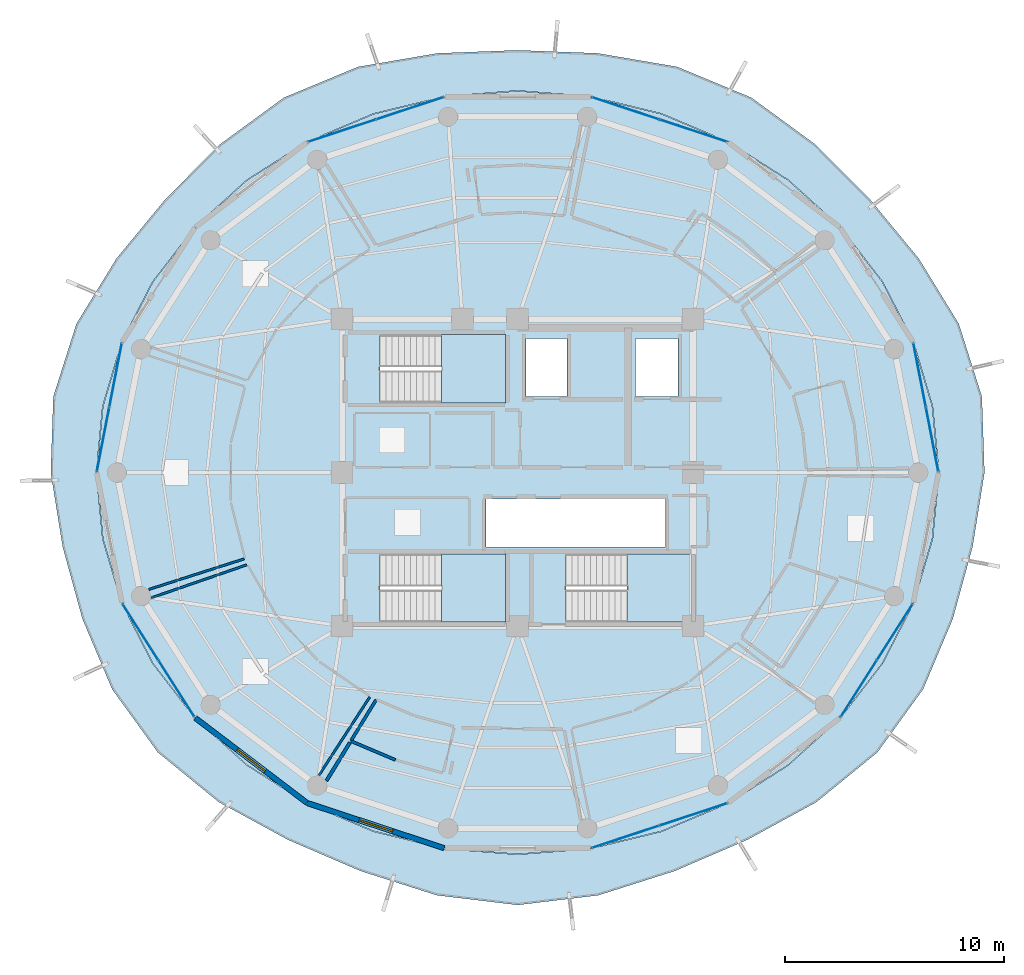
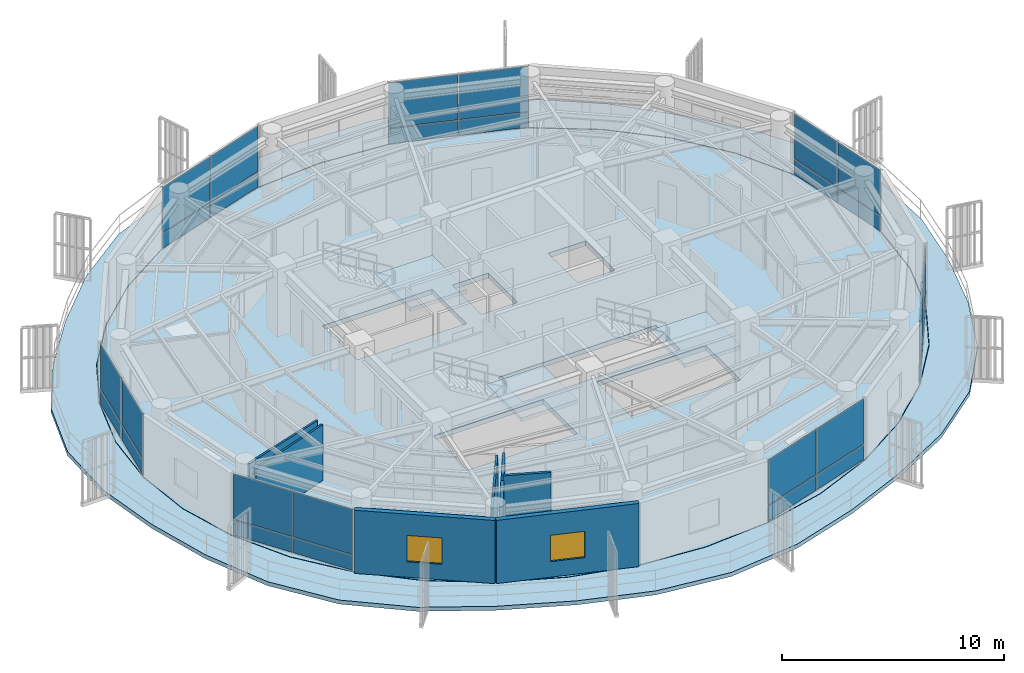
# One storey, part 15 of 23: 28 plates, 8 walls, 5 slabs, 2 windows, 2 openings, 10 elements without a shape of their own.
"""IFC4 building model written with IfcOpenShell, lengths in metres."""

from ifc_helpers import new_model, si_unit, direction, frame, frame_2d, origin, origin_2d, place, context, subcontext, project, spatial, polyline, rectangle, outline, extrude, source, transform, mapped, material, layer, layer_set, type_object, element, fill, aggregate, save


model = new_model("IFC4")

# Units and contexts
model_context = context("Model", 3, precision=1e-05, world=origin(), true_north=direction((0.0, 1.0)))
body_context = subcontext(model_context, "Body", "Model", "MODEL_VIEW")
ifc_project = project(units=[si_unit("LENGTHUNIT", "METRE"), si_unit("AREAUNIT", "SQUARE_METRE"), si_unit("VOLUMEUNIT", "CUBIC_METRE"), si_unit("PLANEANGLEUNIT", "RADIAN"), si_unit("MASSUNIT", "GRAM", prefix="KILO")], contexts=[model_context])

# Site, building, storey
site_placement = place(None, origin())
site = spatial("IfcSite", under=ifc_project, at=site_placement, CompositionType="ELEMENT")
building_placement = place(site_placement, origin())
building = spatial("IfcBuilding", under=site, at=building_placement, Name="Kelanora Arch Commons", CompositionType="ELEMENT")
storey_placement = place(building_placement, frame((0.0, 0.0, 252.449951171875)))
storey = spatial("IfcBuildingStorey", under=building, at=storey_placement, Name="L64", CompositionType="ELEMENT", Elevation=252.449951171875)

# Stair, slab
ifc_material_1 = material(Name="Concrete C40/50", Category="concrete")
stair_type = type_object("IfcStairType", Name="STR-DL-375", PredefinedType="HALF_TURN_STAIR", material=ifc_material_1)
stair_1_placement = place(storey_placement, origin())
stair_1 = element("IfcStair", 1, at=stair_1_placement, inside=storey, type_object=stair_type, Name="L64 ST-T1", PredefinedType="HALF_TURN_STAIR")
ifc_layer_1 = layer(ifc_material_1, 0.199951171875)
ifc_layer_set_1 = layer_set([ifc_layer_1], Name="Concrete C40/50")
slab_type_1 = type_object("IfcSlabType", Name="SLB-STAIR-LND", PredefinedType="LANDING", material=ifc_layer_set_1)
slab_1_placement = place(storey_placement, frame((0.0, 0.0, 1.675048828125)))
slab_1 = element("IfcSlab", 2, at=slab_1_placement, type_object=slab_type_1, Name="ST-T1 landing 1", PredefinedType="LANDING", context=body_context, shape_type="SweptSolid", body=[
    extrude(outline(polyline([(70.52001953125, 61.179931640625), (73.43994140625, 61.179931640625), (73.43994140625, 64.2900390625), (70.52001953125, 64.2900390625), (70.52001953125, 61.179931640625)])), origin(), (0.0, 0.0, 1.0), 0.199951171875),
])
aggregate(stair_1, [slab_1])

stair_2_placement = place(storey_placement, origin())
stair_2 = element("IfcStair", 3, at=stair_2_placement, inside=storey, type_object=stair_type, Name="L64 ST-T2", PredefinedType="HALF_TURN_STAIR")
slab_2_placement = place(storey_placement, frame((0.0, 0.0, 1.675048828125)))
slab_2 = element("IfcSlab", 4, at=slab_2_placement, type_object=slab_type_1, Name="ST-T2 landing 1", PredefinedType="LANDING", context=body_context, shape_type="SweptSolid", body=[
    extrude(outline(polyline([(79.0, 51.179931640625), (81.919921875, 51.179931640625), (81.919921875, 54.2900390625), (79.0, 54.2900390625), (79.0, 51.179931640625)])), origin(), (0.0, 0.0, 1.0), 0.199951171875),
])
aggregate(stair_2, [slab_2])

stair_3_placement = place(storey_placement, origin())
stair_3 = element("IfcStair", 5, at=stair_3_placement, inside=storey, type_object=stair_type, Name="L64 ST-T3", PredefinedType="HALF_TURN_STAIR")
slab_3_placement = place(storey_placement, frame((0.0, 0.0, 1.675048828125)))
slab_3 = element("IfcSlab", 6, at=slab_3_placement, type_object=slab_type_1, Name="ST-T3 landing 1", PredefinedType="LANDING", context=body_context, shape_type="SweptSolid", body=[
    extrude(outline(polyline([(70.52001953125, 51.179931640625), (73.43994140625, 51.179931640625), (73.43994140625, 54.2900390625), (70.52001953125, 54.2900390625), (70.52001953125, 51.179931640625)])), origin(), (0.0, 0.0, 1.0), 0.199951171875),
])
aggregate(stair_3, [slab_3])

# Slabs
ifc_layer_2 = layer(ifc_material_1, 0.260009765625)
ifc_layer_set_2 = layer_set([ifc_layer_2], Name="Concrete C40/50")
slab_type_2 = type_object("IfcSlabType", Name="SLB-TWR-TYP", PredefinedType="FLOOR", material=ifc_layer_set_2)
slab_4_placement = place(storey_placement, frame((0.0, 0.0, -0.260009765625)))
element("IfcSlab", 7, at=slab_4_placement, inside=storey, type_object=slab_type_2, Name="Tower Floor Slab L64", PredefinedType="FLOOR", context=body_context, shape_type="SweptSolid", body=[
    extrude(outline(polyline([(93.199951171875, 58.0), (92.908203125, 61.021484375), (92.0419921875, 63.951171875), (90.627685546875, 66.699951171875), (88.7080078125, 69.1845703125), (86.341552734375, 71.3291015625), (83.60009765625, 73.06884765625), (80.56689453125, 74.3505859375), (77.333984375, 75.1357421875), (74.0, 75.39990234375), (70.666015625, 75.1357421875), (67.43310546875, 74.3505859375), (64.39990234375, 73.06884765625), (61.658447265625, 71.3291015625), (59.2919921875, 69.1845703125), (57.372314453125, 66.699951171875), (55.9580078125, 63.951171875), (55.091796875, 61.021484375), (54.800048828125, 58.0), (55.091796875, 54.978515625), (55.9580078125, 52.048828125), (57.372314453125, 49.300048828125), (59.2919921875, 46.8154296875), (61.658447265625, 44.6708984375), (64.39990234375, 42.93115234375), (67.43310546875, 41.6494140625), (70.666015625, 40.8642578125), (74.0, 40.60009765625), (77.333984375, 40.8642578125), (80.56689453125, 41.6494140625), (83.60009765625, 42.93115234375), (86.341552734375, 44.6708984375), (88.7080078125, 46.8154296875), (90.627685546875, 49.300048828125), (92.0419921875, 52.048828125), (92.908203125, 54.978515625), (93.199951171875, 58.0)]), holes=[polyline([(73.431884765625, 51.18798828125), (67.72802734375, 51.18798828125), (67.72802734375, 54.281982421875), (73.431884765625, 54.281982421875), (73.431884765625, 51.18798828125)]), polyline([(76.2080078125, 51.18798828125), (76.2080078125, 54.281982421875), (81.912109375, 54.281982421875), (81.912109375, 51.18798828125), (76.2080078125, 51.18798828125)]), polyline([(72.550048828125, 54.60009765625), (72.550048828125, 56.800048828125), (80.75, 56.800048828125), (80.75, 54.60009765625), (72.550048828125, 54.60009765625)]), polyline([(73.431884765625, 61.18798828125), (67.72802734375, 61.18798828125), (67.72802734375, 64.281982421875), (73.431884765625, 64.281982421875), (73.431884765625, 61.18798828125)]), polyline([(74.3798828125, 61.47998046875), (74.3798828125, 64.1201171875), (76.260009765625, 64.1201171875), (76.260009765625, 61.47998046875), (74.3798828125, 61.47998046875)]), polyline([(79.3798828125, 61.47998046875), (79.3798828125, 64.1201171875), (81.320068359375, 64.1201171875), (81.320068359375, 61.47998046875), (79.3798828125, 61.47998046875)])]), origin(), (0.0, 0.0, 1.0), 0.260009765625),
])
ifc_layer_3 = layer(ifc_material_1, 0.219970703125)
ifc_layer_set_3 = layer_set([ifc_layer_3], Name="Concrete C40/50")
slab_type_3 = type_object("IfcSlabType", Name="SLB-WAVE-BAL", PredefinedType="FLOOR", material=ifc_layer_set_3)
slab_5_placement = place(storey_placement, frame((0.0, 0.0, -0.219970703125)))
element("IfcSlab", 8, at=slab_5_placement, inside=storey, type_object=slab_type_3, Name="Sinusoidal Wave Balcony Slab L64", PredefinedType="FLOOR", context=body_context, shape_type="SweptSolid", body=[
    extrude(outline(polyline([(95.291748046875, 58.0), (95.173583984375, 61.462158203125), (94.120361328125, 64.785888671875), (92.294921875, 67.76220703125), (90.07666015625, 70.45166015625), (87.58349609375, 72.96240234375), (84.662109375, 75.0986328125), (81.277099609375, 76.50439453125), (77.651611328125, 77.123291015625), (74.0, 77.26171875), (70.348388671875, 77.123291015625), (66.722900390625, 76.50439453125), (63.337890625, 75.0986328125), (60.41650390625, 72.96240234375), (57.92333984375, 70.45166015625), (55.705078125, 67.76220703125), (53.879638671875, 64.785888671875), (52.826416015625, 61.462158203125), (52.708251953125, 58.0), (53.250732421875, 54.620361328125), (54.154052734375, 51.324462890625), (55.51123046875, 48.114501953125), (57.5908203125, 45.240478515625), (60.3681640625, 42.97412109375), (63.522705078125, 41.25439453125), (66.833251953125, 39.830322265625), (70.323486328125, 38.72119140625), (74.0, 38.2783203125), (77.676513671875, 38.72119140625), (81.166748046875, 39.830322265625), (84.477294921875, 41.25439453125), (87.6318359375, 42.97412109375), (90.4091796875, 45.240478515625), (92.48876953125, 48.114501953125), (93.845947265625, 51.324462890625), (94.749267578125, 54.620361328125), (95.291748046875, 58.0)]), holes=[polyline([(92.927978515625, 54.97509765625), (92.060791015625, 52.0419921875), (90.64501953125, 49.2900390625), (88.723388671875, 46.802490234375), (86.3544921875, 44.655517578125), (83.610107421875, 42.913818359375), (80.573486328125, 41.630615234375), (77.33740234375, 40.844482421875), (74.0, 40.580078125), (70.66259765625, 40.844482421875), (67.426513671875, 41.630615234375), (64.389892578125, 42.913818359375), (61.6455078125, 44.655517578125), (59.276611328125, 46.802490234375), (57.35498046875, 49.2900390625), (55.939208984375, 52.0419921875), (55.072021484375, 54.97509765625), (54.780029296875, 58.0), (55.072021484375, 61.02490234375), (55.939208984375, 63.9580078125), (57.35498046875, 66.7099609375), (59.276611328125, 69.197509765625), (61.6455078125, 71.344482421875), (64.389892578125, 73.086181640625), (67.426513671875, 74.369384765625), (70.66259765625, 75.155517578125), (74.0, 75.419921875), (77.33740234375, 75.155517578125), (80.573486328125, 74.369384765625), (83.610107421875, 73.086181640625), (86.3544921875, 71.344482421875), (88.723388671875, 69.197509765625), (90.64501953125, 66.7099609375), (92.060791015625, 63.9580078125), (92.927978515625, 61.02490234375), (93.219970703125, 58.0), (92.927978515625, 54.97509765625)])]), origin(), (0.0, 0.0, 1.0), 0.219970703125),
])

# Curtain wall, plates
ifc_material_2 = material(Name="Terracotta ceramic-fritted low-E glass and aluminium", Category="masonry")
ifc_layer_4 = layer(ifc_material_2, 0.18994140625)
ifc_layer_set_4 = layer_set([ifc_layer_4], Name="Terracotta ceramic-fritted low-E glass and aluminium")
curtain_wall_type = type_object("IfcCurtainWallType", Name="CW-SYS-03", PredefinedType="NOTDEFINED", material=ifc_layer_set_4)
curtain_wall_1_placement = place(storey_placement, origin())
curtain_wall_1 = element("IfcCurtainWall", 9, at=curtain_wall_1_placement, inside=storey, type_object=curtain_wall_type, Name="Unitised Curtain Wall L64-B00", PredefinedType="NOTDEFINED")
ifc_material_3 = material(Name="Terracotta ceramic-fritted double glazing", Category="masonry")
ifc_layer_5 = layer(ifc_material_3, 0.028076171875)
ifc_layer_set_5 = layer_set([ifc_layer_5], Name="Terracotta ceramic-fritted double glazing")
plate_type = type_object("IfcPlateType", Name="CWP-FRIT", PredefinedType="CURTAIN_PANEL", material=ifc_layer_set_5)
shared_shape_1 = source(origin(), body_context, "Body", "SweptSolid", [
    extrude(rectangle(XDim=2.926513671875, YDim=0.028076171875, at=origin_2d()), origin(), (0.0, 0.0, 1.0), 0.81005859375),
])
plate_1_placement = place(storey_placement, frame((92.90625, 59.509765625, 0.06005859375), z_axis=(0.0, 0.0, 1.0), x_axis=(-0.190971701941, 0.981595542501, 0.0)))
plate_1 = element("IfcPlate", 10, at=plate_1_placement, type_object=plate_type, Name="CW-03 panel 1.1", PredefinedType="CURTAIN_PANEL", context=body_context, shape_type="MappedRepresentation", body=[
    mapped(shared_shape_1, transform((0.0, 0.0, 0.0), scale=1.0)),
])
plate_2_placement = place(storey_placement, frame((92.3359375, 62.44140625, 0.06005859375), z_axis=(0.0, 0.0, 1.0), x_axis=(-0.190971701941, 0.981595542501, 0.0)))
plate_2 = element("IfcPlate", 11, at=plate_2_placement, type_object=plate_type, Name="CW-03 panel 2.1", PredefinedType="CURTAIN_PANEL", context=body_context, shape_type="MappedRepresentation", body=[
    mapped(shared_shape_1, transform((0.0, 0.0, 0.0), scale=1.0)),
])

curtain_wall_2_placement = place(storey_placement, origin())
curtain_wall_2 = element("IfcCurtainWall", 12, at=curtain_wall_2_placement, inside=storey, type_object=curtain_wall_type, Name="Unitised Curtain Wall L64-B08", PredefinedType="NOTDEFINED")
plate_3_placement = place(storey_placement, frame((55.6640625, 62.44140625, 0.06005859375), z_axis=(0.0, 0.0, 1.0), x_axis=(-0.190971701941, -0.981595542501, 0.0)))
plate_3 = element("IfcPlate", 13, at=plate_3_placement, type_object=plate_type, Name="CW-03 panel 1.1", PredefinedType="CURTAIN_PANEL", context=body_context, shape_type="MappedRepresentation", body=[
    mapped(shared_shape_1, transform((0.0, 0.0, 0.0), scale=1.0)),
])
plate_4_placement = place(storey_placement, frame((55.09375, 59.509765625, 0.06005859375), z_axis=(0.0, 0.0, 1.0), x_axis=(-0.190971701941, -0.981595542501, 0.0)))
plate_4 = element("IfcPlate", 14, at=plate_4_placement, type_object=plate_type, Name="CW-03 panel 2.1", PredefinedType="CURTAIN_PANEL", context=body_context, shape_type="MappedRepresentation", body=[
    mapped(shared_shape_1, transform((0.0, 0.0, 0.0), scale=1.0)),
])

# Plate
shared_shape_2 = source(origin(), body_context, "Body", "SweptSolid", [
    extrude(rectangle(XDim=2.926513671875, YDim=0.028076171875, at=origin_2d()), origin(), (0.0, 0.0, 1.0), 2.485107421875),
])
plate_5_placement = place(storey_placement, frame((92.90625, 59.509765625, 0.93017578125), z_axis=(0.0, 0.0, 1.0), x_axis=(-0.190971701941, 0.981595542501, 0.0)))
plate_5 = element("IfcPlate", 15, at=plate_5_placement, type_object=plate_type, Name="CW-03 panel 1.2", PredefinedType="CURTAIN_PANEL", context=body_context, shape_type="MappedRepresentation", body=[
    mapped(shared_shape_2, transform((0.0, 0.0, 0.0), scale=1.0)),
])

plate_6_placement = place(storey_placement, frame((92.3359375, 62.44140625, 0.93017578125), z_axis=(0.0, 0.0, 1.0), x_axis=(-0.190971701941, 0.981595542501, 0.0)))
plate_6 = element("IfcPlate", 16, at=plate_6_placement, type_object=plate_type, Name="CW-03 panel 2.2", PredefinedType="CURTAIN_PANEL", context=body_context, shape_type="MappedRepresentation", body=[
    mapped(shared_shape_2, transform((0.0, 0.0, 0.0), scale=1.0)),
])

aggregate(curtain_wall_1, [plate_1, plate_5, plate_2, plate_6])

plate_7_placement = place(storey_placement, frame((55.6640625, 62.44140625, 0.93017578125), z_axis=(0.0, 0.0, 1.0), x_axis=(-0.190971701941, -0.981595542501, 0.0)))
plate_7 = element("IfcPlate", 17, at=plate_7_placement, type_object=plate_type, Name="CW-03 panel 1.2", PredefinedType="CURTAIN_PANEL", context=body_context, shape_type="MappedRepresentation", body=[
    mapped(shared_shape_2, transform((0.0, 0.0, 0.0), scale=1.0)),
])

plate_8_placement = place(storey_placement, frame((55.09375, 59.509765625, 0.93017578125), z_axis=(0.0, 0.0, 1.0), x_axis=(-0.190971701941, -0.981595542501, 0.0)))
plate_8 = element("IfcPlate", 18, at=plate_8_placement, type_object=plate_type, Name="CW-03 panel 2.2", PredefinedType="CURTAIN_PANEL", context=body_context, shape_type="MappedRepresentation", body=[
    mapped(shared_shape_2, transform((0.0, 0.0, 0.0), scale=1.0)),
])

aggregate(curtain_wall_2, [plate_3, plate_7, plate_4, plate_8])

# Curtain wall, plates
curtain_wall_3_placement = place(storey_placement, origin())
curtain_wall_3 = element("IfcCurtainWall", 19, at=curtain_wall_3_placement, inside=storey, type_object=curtain_wall_type, Name="Unitised Curtain Wall L64-B03", PredefinedType="NOTDEFINED")
shared_shape_3 = source(origin(), body_context, "Body", "SweptSolid", [
    extrude(rectangle(XDim=3.194091796875, YDim=0.028076171875, at=origin_2d()), origin(), (0.0, 0.0, 1.0), 0.81005859375),
])
plate_9_placement = place(storey_placement, frame((82.01220703125, 73.592529296875, 0.06005859375), z_axis=(0.0, 0.0, 1.0), x_axis=(-0.949669780752, 0.313252785344, 0.0)))
plate_9 = element("IfcPlate", 20, at=plate_9_placement, type_object=plate_type, Name="CW-03 panel 1.1", PredefinedType="CURTAIN_PANEL", context=body_context, shape_type="MappedRepresentation", body=[
    mapped(shared_shape_3, transform((0.0, 0.0, 0.0), scale=1.0)),
])
plate_10_placement = place(storey_placement, frame((78.921875, 74.61181640625, 0.06005859375), z_axis=(0.0, 0.0, 1.0), x_axis=(-0.949669780752, 0.313252785344, 0.0)))
plate_10 = element("IfcPlate", 21, at=plate_10_placement, type_object=plate_type, Name="CW-03 panel 2.1", PredefinedType="CURTAIN_PANEL", context=body_context, shape_type="MappedRepresentation", body=[
    mapped(shared_shape_3, transform((0.0, 0.0, 0.0), scale=1.0)),
])

curtain_wall_4_placement = place(storey_placement, origin())
curtain_wall_4 = element("IfcCurtainWall", 22, at=curtain_wall_4_placement, inside=storey, type_object=curtain_wall_type, Name="Unitised Curtain Wall L64-B05", PredefinedType="NOTDEFINED")
plate_11_placement = place(storey_placement, frame((69.078125, 74.61181640625, 0.06005859375), z_axis=(0.0, 0.0, 1.0), x_axis=(-0.949669780752, -0.313252785344, 0.0)))
plate_11 = element("IfcPlate", 23, at=plate_11_placement, type_object=plate_type, Name="CW-03 panel 1.1", PredefinedType="CURTAIN_PANEL", context=body_context, shape_type="MappedRepresentation", body=[
    mapped(shared_shape_3, transform((0.0, 0.0, 0.0), scale=1.0)),
])
plate_12_placement = place(storey_placement, frame((65.98779296875, 73.592529296875, 0.06005859375), z_axis=(0.0, 0.0, 1.0), x_axis=(-0.949669780752, -0.313252785344, 0.0)))
plate_12 = element("IfcPlate", 24, at=plate_12_placement, type_object=plate_type, Name="CW-03 panel 2.1", PredefinedType="CURTAIN_PANEL", context=body_context, shape_type="MappedRepresentation", body=[
    mapped(shared_shape_3, transform((0.0, 0.0, 0.0), scale=1.0)),
])

curtain_wall_5_placement = place(storey_placement, origin())
curtain_wall_5 = element("IfcCurtainWall", 25, at=curtain_wall_5_placement, inside=storey, type_object=curtain_wall_type, Name="Unitised Curtain Wall L64-B14", PredefinedType="NOTDEFINED")
plate_13_placement = place(storey_placement, frame((78.921875, 41.38818359375, 0.06005859375), z_axis=(0.0, 0.0, 1.0), x_axis=(0.949669780752, 0.313252785344, 0.0)))
plate_13 = element("IfcPlate", 26, at=plate_13_placement, type_object=plate_type, Name="CW-03 panel 1.1", PredefinedType="CURTAIN_PANEL", context=body_context, shape_type="MappedRepresentation", body=[
    mapped(shared_shape_3, transform((0.0, 0.0, 0.0), scale=1.0)),
])
plate_14_placement = place(storey_placement, frame((82.01220703125, 42.407470703125, 0.06005859375), z_axis=(0.0, 0.0, 1.0), x_axis=(0.949669780752, 0.313252785344, 0.0)))
plate_14 = element("IfcPlate", 27, at=plate_14_placement, type_object=plate_type, Name="CW-03 panel 2.1", PredefinedType="CURTAIN_PANEL", context=body_context, shape_type="MappedRepresentation", body=[
    mapped(shared_shape_3, transform((0.0, 0.0, 0.0), scale=1.0)),
])

# Plate
shared_shape_4 = source(origin(), body_context, "Body", "SweptSolid", [
    extrude(rectangle(XDim=3.194091796875, YDim=0.028076171875, at=origin_2d()), origin(), (0.0, 0.0, 1.0), 2.485107421875),
])
plate_15_placement = place(storey_placement, frame((82.01220703125, 73.592529296875, 0.93017578125), z_axis=(0.0, 0.0, 1.0), x_axis=(-0.949669780752, 0.313252785344, 0.0)))
plate_15 = element("IfcPlate", 28, at=plate_15_placement, type_object=plate_type, Name="CW-03 panel 1.2", PredefinedType="CURTAIN_PANEL", context=body_context, shape_type="MappedRepresentation", body=[
    mapped(shared_shape_4, transform((0.0, 0.0, 0.0), scale=1.0)),
])

plate_16_placement = place(storey_placement, frame((78.921875, 74.61181640625, 0.93017578125), z_axis=(0.0, 0.0, 1.0), x_axis=(-0.949669780752, 0.313252785344, 0.0)))
plate_16 = element("IfcPlate", 29, at=plate_16_placement, type_object=plate_type, Name="CW-03 panel 2.2", PredefinedType="CURTAIN_PANEL", context=body_context, shape_type="MappedRepresentation", body=[
    mapped(shared_shape_4, transform((0.0, 0.0, 0.0), scale=1.0)),
])

aggregate(curtain_wall_3, [plate_9, plate_15, plate_10, plate_16])

plate_17_placement = place(storey_placement, frame((69.078125, 74.61181640625, 0.93017578125), z_axis=(0.0, 0.0, 1.0), x_axis=(-0.949669780752, -0.313252785344, 0.0)))
plate_17 = element("IfcPlate", 30, at=plate_17_placement, type_object=plate_type, Name="CW-03 panel 1.2", PredefinedType="CURTAIN_PANEL", context=body_context, shape_type="MappedRepresentation", body=[
    mapped(shared_shape_4, transform((0.0, 0.0, 0.0), scale=1.0)),
])

plate_18_placement = place(storey_placement, frame((65.98779296875, 73.592529296875, 0.93017578125), z_axis=(0.0, 0.0, 1.0), x_axis=(-0.949669780752, -0.313252785344, 0.0)))
plate_18 = element("IfcPlate", 31, at=plate_18_placement, type_object=plate_type, Name="CW-03 panel 2.2", PredefinedType="CURTAIN_PANEL", context=body_context, shape_type="MappedRepresentation", body=[
    mapped(shared_shape_4, transform((0.0, 0.0, 0.0), scale=1.0)),
])

aggregate(curtain_wall_4, [plate_11, plate_17, plate_12, plate_18])

plate_19_placement = place(storey_placement, frame((78.921875, 41.38818359375, 0.93017578125), z_axis=(0.0, 0.0, 1.0), x_axis=(0.949669780752, 0.313252785344, 0.0)))
plate_19 = element("IfcPlate", 32, at=plate_19_placement, type_object=plate_type, Name="CW-03 panel 1.2", PredefinedType="CURTAIN_PANEL", context=body_context, shape_type="MappedRepresentation", body=[
    mapped(shared_shape_4, transform((0.0, 0.0, 0.0), scale=1.0)),
])

plate_20_placement = place(storey_placement, frame((82.01220703125, 42.407470703125, 0.93017578125), z_axis=(0.0, 0.0, 1.0), x_axis=(0.949669780752, 0.313252785344, 0.0)))
plate_20 = element("IfcPlate", 33, at=plate_20_placement, type_object=plate_type, Name="CW-03 panel 2.2", PredefinedType="CURTAIN_PANEL", context=body_context, shape_type="MappedRepresentation", body=[
    mapped(shared_shape_4, transform((0.0, 0.0, 0.0), scale=1.0)),
])

aggregate(curtain_wall_5, [plate_13, plate_19, plate_14, plate_20])

# Curtain wall, plates
curtain_wall_6_placement = place(storey_placement, origin())
curtain_wall_6 = element("IfcCurtainWall", 34, at=curtain_wall_6_placement, inside=storey, type_object=curtain_wall_type, Name="Unitised Curtain Wall L64-B10", PredefinedType="NOTDEFINED")
shared_shape_5 = source(origin(), body_context, "Body", "SweptSolid", [
    extrude(rectangle(XDim=2.99755859375, YDim=0.028076171875, at=origin_2d()), origin(), (0.0, 0.0, 1.0), 0.81005859375),
])
plate_21_placement = place(storey_placement, frame((56.803466796875, 50.721435546875, 0.06005859375), z_axis=(0.0, 0.0, 1.0), x_axis=(0.537299814397, -0.843391314545, 0.0)))
plate_21 = element("IfcPlate", 35, at=plate_21_placement, type_object=plate_type, Name="CW-03 panel 1.1", PredefinedType="CURTAIN_PANEL", context=body_context, shape_type="MappedRepresentation", body=[
    mapped(shared_shape_5, transform((0.0, 0.0, 0.0), scale=1.0)),
])
plate_22_placement = place(storey_placement, frame((58.4462890625, 48.142822265625, 0.06005859375), z_axis=(0.0, 0.0, 1.0), x_axis=(0.537299814397, -0.843391314545, 0.0)))
plate_22 = element("IfcPlate", 36, at=plate_22_placement, type_object=plate_type, Name="CW-03 panel 2.1", PredefinedType="CURTAIN_PANEL", context=body_context, shape_type="MappedRepresentation", body=[
    mapped(shared_shape_5, transform((0.0, 0.0, 0.0), scale=1.0)),
])

curtain_wall_7_placement = place(storey_placement, origin())
curtain_wall_7 = element("IfcCurtainWall", 37, at=curtain_wall_7_placement, inside=storey, type_object=curtain_wall_type, Name="Unitised Curtain Wall L64-B16", PredefinedType="NOTDEFINED")
plate_23_placement = place(storey_placement, frame((89.5537109375, 48.142822265625, 0.06005859375), z_axis=(0.0, 0.0, 1.0), x_axis=(0.537299814397, 0.843391314545, 0.0)))
plate_23 = element("IfcPlate", 38, at=plate_23_placement, type_object=plate_type, Name="CW-03 panel 1.1", PredefinedType="CURTAIN_PANEL", context=body_context, shape_type="MappedRepresentation", body=[
    mapped(shared_shape_5, transform((0.0, 0.0, 0.0), scale=1.0)),
])
plate_24_placement = place(storey_placement, frame((91.196533203125, 50.721435546875, 0.06005859375), z_axis=(0.0, 0.0, 1.0), x_axis=(0.537299814397, 0.843391314545, 0.0)))
plate_24 = element("IfcPlate", 39, at=plate_24_placement, type_object=plate_type, Name="CW-03 panel 2.1", PredefinedType="CURTAIN_PANEL", context=body_context, shape_type="MappedRepresentation", body=[
    mapped(shared_shape_5, transform((0.0, 0.0, 0.0), scale=1.0)),
])

# Plate
shared_shape_6 = source(origin(), body_context, "Body", "SweptSolid", [
    extrude(rectangle(XDim=2.99755859375, YDim=0.028076171875, at=origin_2d()), origin(), (0.0, 0.0, 1.0), 2.485107421875),
])
plate_25_placement = place(storey_placement, frame((56.803466796875, 50.721435546875, 0.93017578125), z_axis=(0.0, 0.0, 1.0), x_axis=(0.537299814397, -0.843391314545, 0.0)))
plate_25 = element("IfcPlate", 40, at=plate_25_placement, type_object=plate_type, Name="CW-03 panel 1.2", PredefinedType="CURTAIN_PANEL", context=body_context, shape_type="MappedRepresentation", body=[
    mapped(shared_shape_6, transform((0.0, 0.0, 0.0), scale=1.0)),
])

plate_26_placement = place(storey_placement, frame((58.4462890625, 48.142822265625, 0.93017578125), z_axis=(0.0, 0.0, 1.0), x_axis=(0.537299814397, -0.843391314545, 0.0)))
plate_26 = element("IfcPlate", 41, at=plate_26_placement, type_object=plate_type, Name="CW-03 panel 2.2", PredefinedType="CURTAIN_PANEL", context=body_context, shape_type="MappedRepresentation", body=[
    mapped(shared_shape_6, transform((0.0, 0.0, 0.0), scale=1.0)),
])

aggregate(curtain_wall_6, [plate_21, plate_25, plate_22, plate_26])

plate_27_placement = place(storey_placement, frame((89.5537109375, 48.142822265625, 0.93017578125), z_axis=(0.0, 0.0, 1.0), x_axis=(0.537299814397, 0.843391314545, 0.0)))
plate_27 = element("IfcPlate", 42, at=plate_27_placement, type_object=plate_type, Name="CW-03 panel 1.2", PredefinedType="CURTAIN_PANEL", context=body_context, shape_type="MappedRepresentation", body=[
    mapped(shared_shape_6, transform((0.0, 0.0, 0.0), scale=1.0)),
])

plate_28_placement = place(storey_placement, frame((91.196533203125, 50.721435546875, 0.93017578125), z_axis=(0.0, 0.0, 1.0), x_axis=(0.537299814397, 0.843391314545, 0.0)))
plate_28 = element("IfcPlate", 43, at=plate_28_placement, type_object=plate_type, Name="CW-03 panel 2.2", PredefinedType="CURTAIN_PANEL", context=body_context, shape_type="MappedRepresentation", body=[
    mapped(shared_shape_6, transform((0.0, 0.0, 0.0), scale=1.0)),
])

aggregate(curtain_wall_7, [plate_23, plate_27, plate_24, plate_28])

# Wall
ifc_material_4 = material(Name="Autoclaved aerated concrete blockwork with fire plaster", Category="masonry")
ifc_layer_6 = layer(ifc_material_4, 0.14990234375)
ifc_layer_set_6 = layer_set([ifc_layer_6], Name="Autoclaved aerated concrete blockwork with fire plaster")
wall_type_1 = type_object("IfcWallType", Name="W-COMP-150", PredefinedType="PARTITIONING", material=ifc_layer_set_6)
wall_1_placement = place(storey_placement, frame((65.282958984375, 43.944091796875, 0.0), z_axis=(0.0, 0.0, 1.0), x_axis=(0.522864415557, 0.852415862677, 0.0)))
element("IfcWall", 44, at=wall_1_placement, inside=storey, type_object=wall_type_1, Name="Co-Living Studio L64-07 Enclosure Partition 5", PredefinedType="PARTITIONING", context=body_context, shape_type="SweptSolid", body=[
    extrude(rectangle(XDim=2.044677734375, YDim=0.14990234375, at=frame_2d((1.0224609375, 0.0))), origin(), (0.0, 0.0, 1.0), 3.235107421875),
])

# Wall, opening, window
ifc_material_5 = material(Name="Precast concrete C40/50 upper-zone terracotta rainscreen", Category="masonry")
ifc_layer_7 = layer(ifc_material_5, 0.239990234375)
ifc_layer_set_7 = layer_set([ifc_layer_7], Name="Precast concrete C40/50 upper-zone terracotta rainscreen")
wall_type_2 = type_object("IfcWallType", Name="W-EXT-TC2", PredefinedType="SOLIDWALL", material=ifc_layer_set_7)
wall_2_placement = place(storey_placement, frame((59.3037109375, 46.806396484375, 0.0), z_axis=(0.0, 0.0, 1.0), x_axis=(0.796010444211, -0.605282886514, 0.0)))
wall_2 = element("IfcWall", 45, at=wall_2_placement, inside=storey, type_object=wall_type_2, Name="Terracotta Exterior Wall L64-B11", PredefinedType="SOLIDWALL", context=body_context, shape_type="SweptSolid", body=[
    extrude(rectangle(XDim=6.387451171875, YDim=0.239990234375, at=frame_2d((3.19384765625, 0.0))), origin(), (0.0, 0.0, 1.0), 3.47509765625),
])
opening_1_placement = place(wall_2_placement, frame((2.39404296875, 0.0, 0.85009765625)))
opening_1 = element("IfcOpeningElement", 46, at=opening_1_placement, cuts=wall_2, Name="Opening WN-01", PredefinedType="OPENING", context=body_context, shape_type="SweptSolid", body=[
    extrude(rectangle(XDim=1.60009765625, YDim=1.449951171875, at=frame_2d((0.800048828125, 0.72509765625))), frame((0.0, 0.1298828125, 0.0), z_axis=(0.0, -1.0, 0.0), x_axis=(1.0, 0.0, 0.0)), (0.0, 0.0, 1.0), 0.260009765625),
])
ifc_material_6 = material(Name="Terracotta-anodised aluminium frame with operable low-E glazing", Category="masonry")
window_type = type_object("IfcWindowType", Name="WIN-CL-18", PartitioningType="DOUBLE_PANEL_VERTICAL", PredefinedType="WINDOW", material=ifc_material_6)
window_1_placement = place(opening_1_placement, origin())
window_1 = element("IfcWindow", 47, at=window_1_placement, inside=storey, type_object=window_type, Name="Co-Living Operable Window L64-B11", OverallHeight=1.449951171875, OverallWidth=1.60009765625, PartitioningType="SINGLE_PANEL", PredefinedType="WINDOW", context=body_context, shape_type="SweptSolid", body=[
    extrude(rectangle(XDim=1.60009765625, YDim=1.449951171875, at=frame_2d((0.800048828125, 0.72509765625))), frame((0.0, 0.030029296875, 0.0), z_axis=(0.0, -1.0, 0.0), x_axis=(1.0, 0.0, 0.0)), (0.0, 0.0, 1.0), 0.06005859375),
])
fill(opening_1, window_1)

wall_3_placement = place(storey_placement, frame((64.414306640625, 42.926513671875, 0.0), z_axis=(0.0, 0.0, 1.0), x_axis=(0.949663708393, -0.313271193954, 0.0)))
wall_3 = element("IfcWall", 48, at=wall_3_placement, inside=storey, type_object=wall_type_2, Name="Terracotta Exterior Wall L64-B12", PredefinedType="SOLIDWALL", context=body_context, shape_type="SweptSolid", body=[
    extrude(rectangle(XDim=6.568115234375, YDim=0.239990234375, at=frame_2d((3.2841796875, 0.0))), origin(), (0.0, 0.0, 1.0), 3.47509765625),
])
opening_2_placement = place(wall_3_placement, frame((2.48388671875, 0.0, 0.85009765625)))
opening_2 = element("IfcOpeningElement", 49, at=opening_2_placement, cuts=wall_3, Name="Opening WN-01", PredefinedType="OPENING", context=body_context, shape_type="SweptSolid", body=[
    extrude(rectangle(XDim=1.60009765625, YDim=1.449951171875, at=frame_2d((0.800048828125, 0.72509765625))), frame((0.0, 0.1298828125, 0.0), z_axis=(0.0, -1.0, 0.0), x_axis=(1.0, 0.0, 0.0)), (0.0, 0.0, 1.0), 0.260009765625),
])
window_2_placement = place(opening_2_placement, origin())
window_2 = element("IfcWindow", 50, at=window_2_placement, inside=storey, type_object=window_type, Name="Co-Living Operable Window L64-B12", OverallHeight=1.449951171875, OverallWidth=1.60009765625, PartitioningType="SINGLE_PANEL", PredefinedType="WINDOW", context=body_context, shape_type="SweptSolid", body=[
    extrude(rectangle(XDim=1.60009765625, YDim=1.449951171875, at=frame_2d((0.800048828125, 0.72509765625))), frame((0.0, 0.030029296875, 0.0), z_axis=(0.0, -1.0, 0.0), x_axis=(1.0, 0.0, 0.0)), (0.0, 0.0, 1.0), 0.06005859375),
])
fill(opening_2, window_2)

# Walls
ifc_material_7 = material(Name="Lightweight fire-rated acoustic stud partition")
ifc_layer_8 = layer(ifc_material_7, 0.10009765625)
ifc_layer_set_8 = layer_set([ifc_layer_8], Name="Lightweight fire-rated acoustic stud partition")
wall_type_3 = type_object("IfcWallType", Name="W-PART-100", PredefinedType="PARTITIONING", material=ifc_layer_set_8)
wall_4_placement = place(storey_placement, frame((61.531982421875, 54.064697265625, 0.0), z_axis=(0.0, 0.0, 1.0), x_axis=(-0.95227750557, -0.305233602976, 0.0)))
element("IfcWall", 51, at=wall_4_placement, inside=storey, type_object=wall_type_3, Name="Social Sky Lounge L64-05 Enclosure Partition 4", PredefinedType="PARTITIONING", context=body_context, shape_type="SweptSolid", body=[
    extrude(rectangle(XDim=4.5654296875, YDim=0.10009765625, at=frame_2d((2.28271484375, 0.0))), origin(), (0.0, 0.0, 1.0), 3.175048828125),
])
wall_5_placement = place(storey_placement, frame((67.254150390625, 47.760498046875, 0.0), z_axis=(0.0, 0.0, 1.0), x_axis=(-0.544234825024, -0.838932926539, 0.0)))
element("IfcWall", 52, at=wall_5_placement, inside=storey, type_object=wall_type_3, Name="Quiet Seminar Study Room L64-06 Enclosure Partition 4", PredefinedType="PARTITIONING", context=body_context, shape_type="SweptSolid", body=[
    extrude(rectangle(XDim=4.2490234375, YDim=0.10009765625, at=frame_2d((2.12451171875, 0.0))), origin(), (0.0, 0.0, 1.0), 3.074951171875),
])
wall_6_placement = place(storey_placement, frame((57.291015625, 52.28662109375, 0.0), z_axis=(0.0, 0.0, 1.0), x_axis=(0.945103281494, 0.326771766388, 0.0)))
element("IfcWall", 53, at=wall_6_placement, inside=storey, type_object=wall_type_3, Name="Quiet Seminar Study Room L64-06 Enclosure Partition 8", PredefinedType="PARTITIONING", context=body_context, shape_type="SweptSolid", body=[
    extrude(rectangle(XDim=4.603759765625, YDim=0.10009765625, at=frame_2d((2.3017578125, 0.0))), origin(), (0.0, 0.0, 1.0), 3.074951171875),
])
ifc_material_8 = material(Name="Moisture-resistant fire-rated cement-board plumbing wall")
ifc_layer_9 = layer(ifc_material_8, 0.1298828125)
ifc_layer_set_9 = layer_set([ifc_layer_9], Name="Moisture-resistant fire-rated cement-board plumbing wall")
wall_type_4 = type_object("IfcWallType", Name="W-WET-120", PredefinedType="PLUMBINGWALL", material=ifc_layer_set_9)
wall_7_placement = place(storey_placement, frame((68.421630859375, 44.896728515625, 0.0), z_axis=(0.0, 0.0, 1.0), x_axis=(-0.920791207069, 0.390055833162, 0.0)))
element("IfcWall", 54, at=wall_7_placement, inside=storey, type_object=wall_type_4, Name="En-Suite Shower WC L64-07 Enclosure Partition 5", PredefinedType="PLUMBINGWALL", context=body_context, shape_type="SweptSolid", body=[
    extrude(rectangle(XDim=2.18310546875, YDim=0.1298828125, at=frame_2d((1.091552734375, 0.0))), origin(), (0.0, 0.0, 1.0), 3.47998046875),
])
wall_8_placement = place(storey_placement, frame((66.403564453125, 45.77294921875, 0.0), z_axis=(0.0, 0.0, 1.0), x_axis=(0.523029155304, 0.85231479085, 0.0)))
element("IfcWall", 55, at=wall_8_placement, inside=storey, type_object=wall_type_4, Name="En-Suite Shower WC L64-07 Enclosure Partition 6", PredefinedType="PLUMBINGWALL", context=body_context, shape_type="SweptSolid", body=[
    extrude(rectangle(XDim=2.18115234375, YDim=0.1298828125, at=frame_2d((1.090576171875, 0.0))), origin(), (0.0, 0.0, 1.0), 3.175048828125),
])

save(model, "model.ifc")
